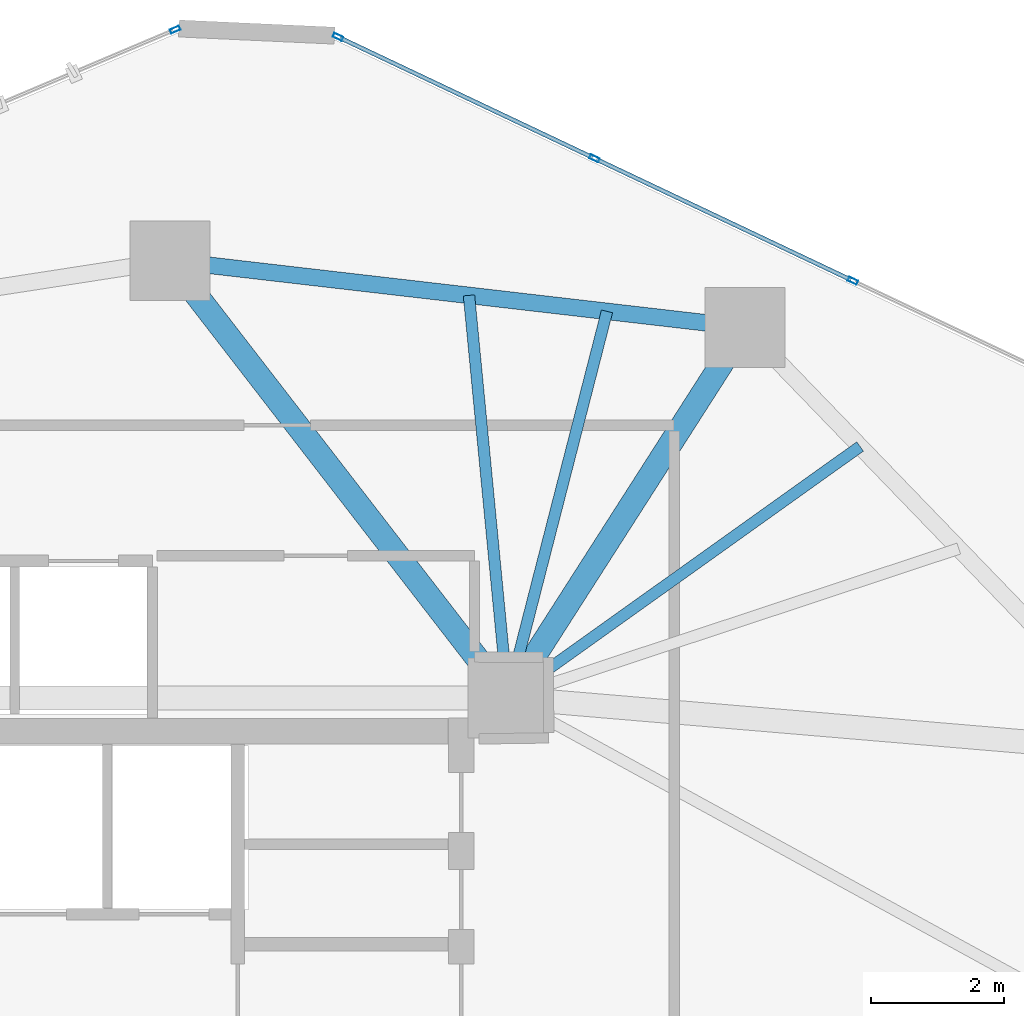
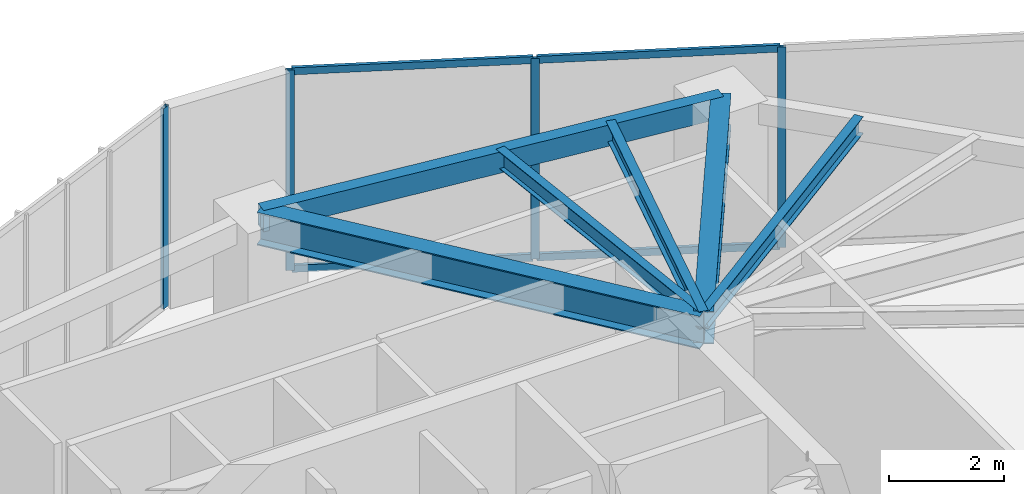
# One storey, part 19 of 28: 8 members, 6 beams, 2 elements without a shape of their own.
"""IFC4 building model written with IfcOpenShell, lengths in metres."""

from ifc_helpers import new_model, si_unit, direction, frame, origin, origin_2d, place, context, subcontext, project, spatial, hollow_rectangle, i_section, extrude, source, transform, mapped, material, layer, layer_set, material_profile, profile_set, type_object, type_shapes, element, aggregate, save


model = new_model("IFC4")

# Units and contexts
model_context = context("Model", 3, precision=1e-05, world=origin(), true_north=direction((0.0, 1.0)))
body_context = subcontext(model_context, "Body", "Model", "MODEL_VIEW")
ifc_project = project(units=[si_unit("LENGTHUNIT", "METRE"), si_unit("AREAUNIT", "SQUARE_METRE"), si_unit("VOLUMEUNIT", "CUBIC_METRE"), si_unit("PLANEANGLEUNIT", "RADIAN"), si_unit("MASSUNIT", "GRAM", prefix="KILO")], contexts=[model_context])

# Site, building, storey
site_placement = place(None, origin())
site = spatial("IfcSite", under=ifc_project, at=site_placement, CompositionType="ELEMENT")
building_placement = place(site_placement, origin())
building = spatial("IfcBuilding", under=site, at=building_placement, Name="Talar Marvaseh", CompositionType="ELEMENT")
storey_placement = place(building_placement, frame((0.0, 0.0, 157.800048828125)))
storey = spatial("IfcBuildingStorey", under=building, at=storey_placement, Name="L41", CompositionType="ELEMENT", Elevation=157.800048828125)

# Beams
ifc_material_1 = material(Name="Steel S355", Category="steel")
ifc_material_profile_1 = material_profile(ifc_material_1, hollow_rectangle(XDim=0.25, YDim=0.449951171875, WallThickness=0.01611328125, at=origin_2d()), Name="RHS450x250x16")
ifc_profile_set_1 = profile_set([ifc_material_profile_1], Name="Steel S355")
beam_type_1 = type_object("IfcBeamType", Name="Zone 2 Perimeter Spandrel Beam RHS450x250x16", PredefinedType="SPANDREL", material=ifc_profile_set_1)
beam_1_placement = place(storey_placement, frame((28.221923828125, 43.471923828125, 4.02490234375), z_axis=(0.993361914569, -0.115030894474, 0.0), x_axis=(0.115030894474, 0.993361914569, 0.0)))
element("IfcBeam", 1, at=beam_1_placement, inside=storey, type_object=beam_type_1, Name="L41 Zone 2 Perimeter Spandrel Beam RHS450x250x16", PredefinedType="SPANDREL", context=body_context, shape_type="SweptSolid", body=[
    extrude(hollow_rectangle(XDim=0.25, YDim=0.449951171875, WallThickness=0.01611328125, at=origin_2d()), origin(), (0.0, 0.0, 1.0), 8.701904296875),
])
ifc_material_profile_2 = material_profile(ifc_material_1, i_section(OverallWidth=0.35498046875, OverallDepth=0.695068359375, WebThickness=0.015380859375, FlangeThickness=0.02490234375, at=origin_2d()), Name="W690x217")
ifc_profile_set_2 = profile_set([ifc_material_profile_2], Name="Steel S355")
beam_type_2 = type_object("IfcBeamType", Name="Zone 2 Radial Floor Girder W690x217", PredefinedType="BEAM", material=ifc_profile_set_2)
beam_2_placement = place(storey_placement, frame((36.865966796875, 42.470947265625, 3.90234375), z_axis=(-0.539101874952, -0.842240564461, 0.0), x_axis=(0.842240564461, -0.539101874952, 0.0)))
element("IfcBeam", 2, at=beam_2_placement, inside=storey, type_object=beam_type_2, Name="L41 Zone 2 Radial Floor Girder W690x217", PredefinedType="BEAM", context=body_context, shape_type="SweptSolid", body=[
    extrude(i_section(OverallWidth=0.35498046875, OverallDepth=0.695068359375, WebThickness=0.015380859375, FlangeThickness=0.02490234375, at=origin_2d()), origin(), (0.0, 0.0, 1.0), 6.614501953125),
])
beam_3_placement = place(storey_placement, frame((28.221923828125, 43.471923828125, 3.90234375), z_axis=(0.611428258763, -0.791299870079, 0.0), x_axis=(0.791299870079, 0.611428258763, 0.0)))
element("IfcBeam", 3, at=beam_3_placement, inside=storey, type_object=beam_type_2, Name="L41 Zone 2 Radial Floor Girder W690x217", PredefinedType="BEAM", context=body_context, shape_type="SweptSolid", body=[
    extrude(i_section(OverallWidth=0.35498046875, OverallDepth=0.695068359375, WebThickness=0.015380859375, FlangeThickness=0.02490234375, at=origin_2d()), origin(), (0.0, 0.0, 1.0), 8.305419921875),
])
ifc_material_profile_3 = material_profile(ifc_material_1, i_section(OverallWidth=0.172119140625, OverallDepth=0.35791015625, WebThickness=0.0078125, FlangeThickness=0.01318359375, at=origin_2d()), Name="W360x57")
ifc_profile_set_3 = profile_set([ifc_material_profile_3], Name="Steel S355")
beam_type_3 = type_object("IfcBeamType", Name="Zone 2 Secondary Floor Joist W360x57", PredefinedType="JOIST", material=ifc_profile_set_3)
beam_4_placement = place(storey_placement, frame((38.595703125, 40.680419921875, 4.071044921875), z_axis=(-0.813885558782, -0.581025212195, 0.0), x_axis=(0.581025212195, -0.813885558782, 0.0)))
element("IfcBeam", 4, at=beam_4_placement, inside=storey, type_object=beam_type_3, Name="L41 Zone 2 Secondary Floor Joist W360x57", PredefinedType="JOIST", context=body_context, shape_type="SweptSolid", body=[
    extrude(i_section(OverallWidth=0.172119140625, OverallDepth=0.35791015625, WebThickness=0.0078125, FlangeThickness=0.01318359375, at=origin_2d()), origin(), (0.0, 0.0, 1.0), 6.506591796875),
])
beam_5_placement = place(storey_placement, frame((32.716796875, 42.951416015625, 4.071044921875), z_axis=(0.095936604223, -0.995387446159, 0.0), x_axis=(0.995387446159, 0.095936604223, 0.0)))
element("IfcBeam", 5, at=beam_5_placement, inside=storey, type_object=beam_type_3, Name="L41 Zone 2 Secondary Floor Joist W360x57", PredefinedType="JOIST", context=body_context, shape_type="SweptSolid", body=[
    extrude(i_section(OverallWidth=0.172119140625, OverallDepth=0.35791015625, WebThickness=0.0078125, FlangeThickness=0.01318359375, at=origin_2d()), origin(), (0.0, 0.0, 1.0), 6.07958984375),
])
beam_6_placement = place(storey_placement, frame((34.79150390625, 42.711181640625, 4.071044921875), z_axis=(-0.248591710753, -0.968608363243, 0.0), x_axis=(0.968608363243, -0.248591710753, 0.0)))
element("IfcBeam", 6, at=beam_6_placement, inside=storey, type_object=beam_type_3, Name="L41 Zone 2 Secondary Floor Joist W360x57", PredefinedType="JOIST", context=body_context, shape_type="SweptSolid", body=[
    extrude(i_section(OverallWidth=0.172119140625, OverallDepth=0.35791015625, WebThickness=0.0078125, FlangeThickness=0.01318359375, at=origin_2d()), origin(), (0.0, 0.0, 1.0), 5.99951171875),
])

# Curtain wall, member
ifc_material_2 = material(Name="Architectural Aluminium", Category="aluminium")
ifc_layer = layer(ifc_material_2, 0.239990234375)
ifc_layer_set = layer_set([ifc_layer], Name="Architectural Aluminium")
curtain_wall_type = type_object("IfcCurtainWallType", Name="Observation Sky Gallery Structural Glass Wall", PredefinedType="NOTDEFINED", material=ifc_layer_set)
curtain_wall_1_placement = place(storey_placement, origin())
curtain_wall_1 = element("IfcCurtainWall", 7, at=curtain_wall_1_placement, inside=storey, type_object=curtain_wall_type, Name="L41 Observation Sky Gallery Structural Glass Wall", PredefinedType="NOTDEFINED")
ifc_material_profile_4 = material_profile(ifc_material_2, hollow_rectangle(XDim=0.06494140625, YDim=0.14990234375, WallThickness=0.00390625, at=origin_2d()), Name="RHS150x65x4")
ifc_profile_set_4 = profile_set([ifc_material_profile_4], Name="Architectural Aluminium")
member_type_1 = type_object("IfcMemberType", Name="Unitised Curtain Wall Slim Mullion RHS150x65x4", PredefinedType="MULLION", material=ifc_profile_set_4)
shared_shape_1 = source(origin(), body_context, "Body", "SweptSolid", [
    extrude(hollow_rectangle(XDim=0.06494140625, YDim=0.14990234375, WallThickness=0.00390625, at=origin_2d()), origin(), (0.0, 0.0, 1.0), 4.25),
])
type_shapes(member_type_1, [shared_shape_1])
member_1_placement = place(storey_placement, frame((28.30126953125, 46.94580078125, 0.0), z_axis=(0.0, 0.0, 1.0), x_axis=(-0.389639566894, 0.920967430429, 0.0)))
member_1 = element("IfcMember", 8, at=member_1_placement, type_object=member_type_1, Name="CW-OBS mullion 4", PredefinedType="MULLION", context=body_context, shape_type="MappedRepresentation", body=[
    mapped(shared_shape_1, transform((0.0, 0.0, 0.0), x_axis=(1.0, 0.0, 0.0), y_axis=(0.0, 1.0, 0.0), z_axis=(0.0, 0.0, 1.0), scale=1.0)),
])
aggregate(curtain_wall_1, [member_1])

# Curtain wall, members
curtain_wall_2_placement = place(storey_placement, origin())
curtain_wall_2 = element("IfcCurtainWall", 9, at=curtain_wall_2_placement, inside=storey, type_object=curtain_wall_type, Name="L41 Observation Sky Gallery Structural Glass Wall", PredefinedType="NOTDEFINED")
member_2_placement = place(storey_placement, frame((30.748291015625, 46.836181640625, 0.0), z_axis=(0.0, 0.0, 1.0), x_axis=(0.428089095221, 0.903736536028, 0.0)))
member_2 = element("IfcMember", 10, at=member_2_placement, type_object=member_type_1, Name="CW-OBS mullion 1", PredefinedType="MULLION", context=body_context, shape_type="MappedRepresentation", body=[
    mapped(shared_shape_1, transform((0.0, 0.0, 0.0), x_axis=(1.0, 0.0, 0.0), y_axis=(0.0, 1.0, 0.0), z_axis=(0.0, 0.0, 1.0), scale=1.0)),
])
member_3_placement = place(storey_placement, frame((34.60302734375, 45.01025390625, 0.0), z_axis=(0.0, 0.0, 1.0), x_axis=(0.428089095221, 0.903736536028, 0.0)))
member_3 = element("IfcMember", 11, at=member_3_placement, type_object=member_type_1, Name="CW-OBS mullion 2", PredefinedType="MULLION", context=body_context, shape_type="MappedRepresentation", body=[
    mapped(shared_shape_1, transform((0.0, 0.0, 0.0), x_axis=(1.0, 0.0, 0.0), y_axis=(0.0, 1.0, 0.0), z_axis=(0.0, 0.0, 1.0), scale=1.0)),
])
member_4_placement = place(storey_placement, frame((38.487060546875, 43.17041015625, 0.0), z_axis=(0.0, 0.0, 1.0), x_axis=(0.428089095221, 0.903736536028, 0.0)))
member_4 = element("IfcMember", 12, at=member_4_placement, type_object=member_type_1, Name="CW-OBS mullion 3", PredefinedType="MULLION", context=body_context, shape_type="MappedRepresentation", body=[
    mapped(shared_shape_1, transform((0.0, 0.0, 0.0), x_axis=(1.0, 0.0, 0.0), y_axis=(0.0, 1.0, 0.0), z_axis=(0.0, 0.0, 1.0), scale=1.0)),
])
ifc_material_profile_5 = material_profile(ifc_material_2, hollow_rectangle(XDim=0.06494140625, YDim=0.14990234375, WallThickness=0.00390625, at=origin_2d()), Name="RHS150x65x4")
ifc_profile_set_5 = profile_set([ifc_material_profile_5], Name="Architectural Aluminium")
member_type_2 = type_object("IfcMemberType", Name="Unitised Curtain Wall Slim Transom RHS150x65x4", PredefinedType="USERDEFINED", material=ifc_profile_set_5)
shared_shape_2 = source(origin(), body_context, "Body", "SweptSolid", [
    extrude(hollow_rectangle(XDim=0.06494140625, YDim=0.14990234375, WallThickness=0.00390625, at=origin_2d()), origin(), (0.0, 0.0, 1.0), 4.23291015625),
])
member_5_placement = place(storey_placement, frame((34.63232421875, 44.996337890625, 0.032470703125), z_axis=(0.90374136212, -0.428078906737, 0.0), x_axis=(0.428078906737, 0.90374136212, 0.0)))
member_5 = element("IfcMember", 13, at=member_5_placement, type_object=member_type_2, Name="CW-OBS transom 2.1", ObjectType="TRANSOM", PredefinedType="USERDEFINED", context=body_context, shape_type="MappedRepresentation", body=[
    mapped(shared_shape_2, transform((0.0, 0.0, 0.0), x_axis=(1.0, 0.0, 0.0), y_axis=(0.0, 1.0, 0.0), z_axis=(0.0, 0.0, 1.0), scale=1.0)),
])
member_6_placement = place(storey_placement, frame((34.63232421875, 44.996337890625, 4.217529296875), z_axis=(0.90374136212, -0.428078906737, 0.0), x_axis=(0.428078906737, 0.90374136212, 0.0)))
member_6 = element("IfcMember", 14, at=member_6_placement, type_object=member_type_2, Name="CW-OBS transom 2.2", ObjectType="TRANSOM", PredefinedType="USERDEFINED", context=body_context, shape_type="MappedRepresentation", body=[
    mapped(shared_shape_2, transform((0.0, 0.0, 0.0), x_axis=(1.0, 0.0, 0.0), y_axis=(0.0, 1.0, 0.0), z_axis=(0.0, 0.0, 1.0), scale=1.0)),
])
shared_shape_3 = source(origin(), body_context, "Body", "SweptSolid", [
    extrude(hollow_rectangle(XDim=0.06494140625, YDim=0.14990234375, WallThickness=0.00390625, at=origin_2d()), origin(), (0.0, 0.0, 1.0), 4.2001953125),
])
type_shapes(member_type_2, [shared_shape_2, shared_shape_3])
member_7_placement = place(storey_placement, frame((30.777587890625, 46.822265625, 0.032470703125), z_axis=(0.903734288214, -0.428093840539, 0.0), x_axis=(0.428093840539, 0.903734288214, 0.0)))
member_7 = element("IfcMember", 15, at=member_7_placement, type_object=member_type_2, Name="CW-OBS transom 1.1", ObjectType="TRANSOM", PredefinedType="USERDEFINED", context=body_context, shape_type="MappedRepresentation", body=[
    mapped(shared_shape_3, transform((0.0, 0.0, 0.0), x_axis=(1.0, 0.0, 0.0), y_axis=(0.0, 1.0, 0.0), z_axis=(0.0, 0.0, 1.0), scale=1.0)),
])
member_8_placement = place(storey_placement, frame((30.777587890625, 46.822265625, 4.217529296875), z_axis=(0.903734288214, -0.428093840539, 0.0), x_axis=(0.428093840539, 0.903734288214, 0.0)))
member_8 = element("IfcMember", 16, at=member_8_placement, type_object=member_type_2, Name="CW-OBS transom 1.2", ObjectType="TRANSOM", PredefinedType="USERDEFINED", context=body_context, shape_type="MappedRepresentation", body=[
    mapped(shared_shape_3, transform((0.0, 0.0, 0.0), x_axis=(1.0, 0.0, 0.0), y_axis=(0.0, 1.0, 0.0), z_axis=(0.0, 0.0, 1.0), scale=1.0)),
])
aggregate(curtain_wall_2, [member_2, member_3, member_4, member_7, member_8, member_5, member_6])

save(model, "model.ifc")
